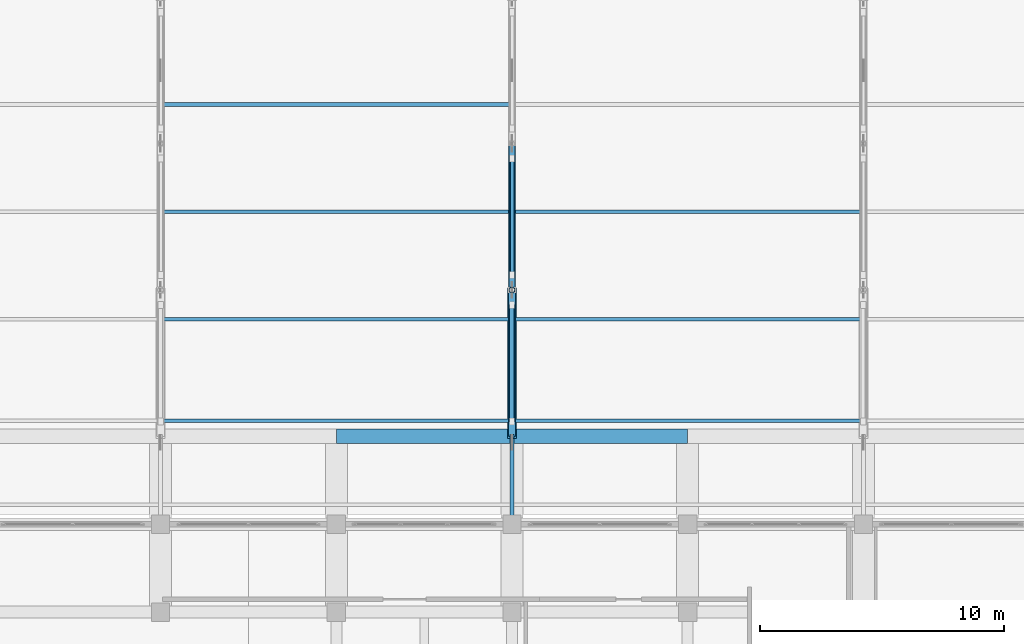
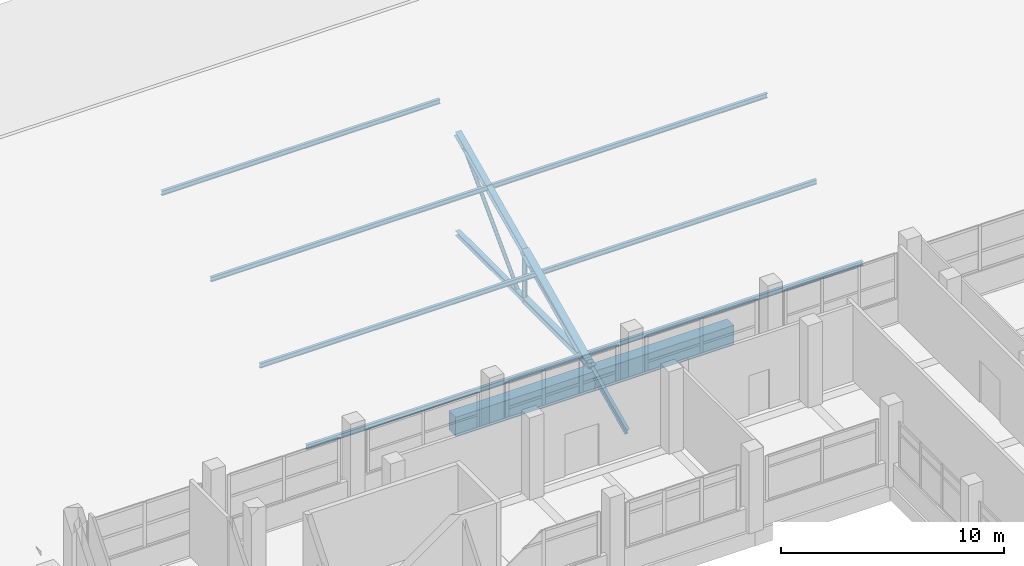
# One storey, part 95 of 141: 15 members, 2 beams, 1 element without a shape of its own.
"""IFC4 building model written with IfcOpenShell, lengths in metres."""

from ifc_helpers import new_model, si_unit, direction, frame, origin, origin_2d, place, context, subcontext, project, spatial, rectangle, hollow_circle, i_section, extrude, material, material_profile, profile_set, type_object, element, aggregate, save


model = new_model("IFC4")

# Units and contexts
model_context = context("Model", 3, precision=1e-05, world=origin(), true_north=direction((0.0, 1.0)))
body_context = subcontext(model_context, "Body", "Model", "MODEL_VIEW")
ifc_project = project(units=[si_unit("LENGTHUNIT", "METRE"), si_unit("AREAUNIT", "SQUARE_METRE"), si_unit("VOLUMEUNIT", "CUBIC_METRE"), si_unit("PLANEANGLEUNIT", "RADIAN"), si_unit("MASSUNIT", "GRAM", prefix="KILO")], contexts=[model_context])

# Site, building, storey
site_placement = place(None, origin())
site = spatial("IfcSite", under=ifc_project, at=site_placement, CompositionType="ELEMENT")
building_placement = place(site_placement, origin())
building = spatial("IfcBuilding", under=site, at=building_placement, Name="Seraya Terrace Polytechnic", CompositionType="ELEMENT")
storey_placement = place(building_placement, frame((0.0, 0.0, 14.39990234375)))
storey = spatial("IfcBuildingStorey", under=building, at=storey_placement, Name="L03", CompositionType="ELEMENT", Elevation=14.39990234375)

# Assembly, members
ifc_material_1 = material(Name="Steel S355J2", Category="steel")
element_assembly_type = type_object("IfcElementAssemblyType", Name="TR-A1", PredefinedType="TRUSS", material=ifc_material_1)
assembly_placement = place(storey_placement, origin())
assembly = element("IfcElementAssembly", 1, at=assembly_placement, inside=storey, type_object=element_assembly_type, Name="Pitched steel roof truss TR-05", AssemblyPlace="SITE", PredefinedType="TRUSS")
ifc_material_profile_1 = material_profile(ifc_material_1, i_section(OverallWidth=0.304931640625, OverallDepth=0.304931640625, WebThickness=0.014892578125, FlangeThickness=0.023681640625, at=origin_2d()), Name="UKC 305x305x14.9x23.8")
ifc_profile_set_1 = profile_set([ifc_material_profile_1], Name="Steel S355J2")
member_type_1 = type_object("IfcMemberType", Name="BC-01", PredefinedType="CHORD", material=ifc_profile_set_1)
member_1_placement = place(storey_placement, frame((72.0, 79.199951171875, 0.150146484375), z_axis=(0.0, 1.0, 0.0), x_axis=(-1.0, 0.0, 0.0)))
member_1 = element("IfcMember", 2, at=member_1_placement, type_object=member_type_1, Name="TR-05 bottom chord 1", PredefinedType="CHORD", context=body_context, shape_type="SweptSolid", body=[
    extrude(i_section(OverallWidth=0.304931640625, OverallDepth=0.304931640625, WebThickness=0.014892578125, FlangeThickness=0.023681640625, at=origin_2d()), origin(), (0.0, 0.0, 1.0), 6.0),
])
ifc_material_profile_2 = material_profile(ifc_material_1, i_section(OverallWidth=0.25390625, OverallDepth=0.25390625, WebThickness=0.0107421875, FlangeThickness=0.017333984375, at=origin_2d()), Name="UKC 254x254x10.7x17.3")
ifc_profile_set_2 = profile_set([ifc_material_profile_2], Name="Steel S355J2")
member_type_2 = type_object("IfcMemberType", Name="BC-02", PredefinedType="CHORD", material=ifc_profile_set_2)
member_2_placement = place(storey_placement, frame((72.0, 85.199951171875, 0.150146484375), z_axis=(0.0, 1.0, 0.0), x_axis=(-1.0, 0.0, 0.0)))
member_2 = element("IfcMember", 3, at=member_2_placement, type_object=member_type_2, Name="TR-05 bottom chord 2", PredefinedType="CHORD", context=body_context, shape_type="SweptSolid", body=[
    extrude(i_section(OverallWidth=0.25390625, OverallDepth=0.25390625, WebThickness=0.0107421875, FlangeThickness=0.017333984375, at=origin_2d()), origin(), (0.0, 0.0, 1.0), 6.0),
])

# Beams
ifc_material_2 = material(Name="Concrete C40/50", Category="concrete")
ifc_material_profile_3 = material_profile(ifc_material_2, rectangle(XDim=0.60009765625, YDim=1.050048828125, at=origin_2d()), Name="RC 600x1050")
ifc_profile_set_3 = profile_set([ifc_material_profile_3], Name="Concrete C40/50")
beam_type = type_object("IfcBeamType", Name="BM-01", PredefinedType="BEAM", material=ifc_profile_set_3)
for number, where, z_axis, x_axis, name in (
    (4, (64.800048828125, 79.199951171875, -0.52490234375), (1.0, 0.0, 0.0), (0.0, 1.0, 0.0), "Beam BM-01 L03 X (64.8..72.0, 79.2)"),
    (5, (72.0, 79.199951171875, -0.52490234375), (1.0, 0.0, 0.0), (0.0, 1.0, 0.0), "Beam BM-01 L03 X (72.0..79.2, 79.2)"),
):
    element("IfcBeam", number, at=place(storey_placement, frame(where, z_axis=z_axis, x_axis=x_axis)), inside=storey, type_object=beam_type, Name=name, PredefinedType="BEAM", context=body_context, shape_type="SweptSolid", body=[
        extrude(rectangle(XDim=0.60009765625, YDim=1.050048828125, at=origin_2d()), origin(), (0.0, 0.0, 1.0), 7.199951171875),
    ])

# Member
ifc_material_profile_4 = material_profile(ifc_material_1, hollow_circle(Radius=0.109619140625, WallThickness=0.010009765625, at=origin_2d()), Name="CHS 219.1x10.0")
ifc_profile_set_4 = profile_set([ifc_material_profile_4], Name="Steel S355J2")
member_type_3 = type_object("IfcMemberType", Name="BR-01", PredefinedType="BRACE", material=ifc_profile_set_4)
member_3_placement = place(storey_placement, frame((72.0, 79.820068359375, 0.316650390625), z_axis=(0.0, 0.921775035169, 0.387725140453), x_axis=(-1.0, 0.0, 0.0)))
member_3 = element("IfcMember", 6, at=member_3_placement, type_object=member_type_3, Name="TR-05 web diagonal 1", PredefinedType="BRACE", context=body_context, shape_type="SweptSolid", body=[
    extrude(hollow_circle(Radius=0.109619140625, WallThickness=0.010009765625, at=origin_2d()), origin(), (0.0, 0.0, 1.0), 5.1640625),
])

ifc_material_profile_5 = material_profile(ifc_material_1, hollow_circle(Radius=0.096923828125, WallThickness=0.010009765625, at=origin_2d()), Name="CHS 193.7x10.0")
ifc_profile_set_5 = profile_set([ifc_material_profile_5], Name="Steel S355J2")
member_type_4 = type_object("IfcMemberType", Name="BR-02", PredefinedType="BRACE", material=ifc_profile_set_5)
member_4_placement = place(storey_placement, frame((72.0, 85.820068359375, 0.291015625), z_axis=(0.0, 0.700213947338, 0.713933069659), x_axis=(-1.0, 0.0, 0.0)))
member_4 = element("IfcMember", 7, at=member_4_placement, type_object=member_type_4, Name="TR-05 web diagonal 2", PredefinedType="BRACE", context=body_context, shape_type="SweptSolid", body=[
    extrude(hollow_circle(Radius=0.096923828125, WallThickness=0.010009765625, at=origin_2d()), origin(), (0.0, 0.0, 1.0), 6.7978515625),
])

# Members
ifc_material_profile_6 = material_profile(ifc_material_1, i_section(OverallWidth=0.14599609375, OverallDepth=0.25390625, WebThickness=0.007080078125, FlangeThickness=0.01416015625, at=origin_2d()), Name="UKB 254x146x7.2x14.2")
ifc_profile_set_6 = profile_set([ifc_material_profile_6], Name="Steel S355J2")
member_type_5 = type_object("IfcMemberType", Name="PR-01", PredefinedType="PURLIN", material=ifc_profile_set_6)
for number, where, z_axis, x_axis, name in (
    (8, (57.60009765625, 79.85009765625, 0.33349609375), (1.0, 0.0, 0.0), (0.0, 1.0, 0.0), "Workshop roof purlin PR-01 bay 4.2"),
    (9, (57.60009765625, 84.0, 2.270263671875), (1.0, 0.0, 0.0), (0.0, 1.0, 0.0), "Workshop roof purlin PR-01 bay 4.3"),
    (10, (57.60009765625, 88.39990234375, 4.323486328125), (1.0, 0.0, 0.0), (0.0, 1.0, 0.0), "Workshop roof purlin PR-01 bay 4.4"),
    (11, (57.60009765625, 92.800048828125, 6.376953125), (1.0, 0.0, 0.0), (0.0, 1.0, 0.0), "Workshop roof purlin PR-01 bay 4.5"),
    (12, (72.0, 79.85009765625, 0.33349609375), (1.0, 0.0, 0.0), (0.0, 1.0, 0.0), "Workshop roof purlin PR-01 bay 5.2"),
    (13, (72.0, 84.0, 2.270263671875), (1.0, 0.0, 0.0), (0.0, 1.0, 0.0), "Workshop roof purlin PR-01 bay 5.3"),
    (14, (72.0, 88.39990234375, 4.323486328125), (1.0, 0.0, 0.0), (0.0, 1.0, 0.0), "Workshop roof purlin PR-01 bay 5.4"),
):
    element("IfcMember", number, at=place(storey_placement, frame(where, z_axis=z_axis, x_axis=x_axis)), inside=storey, type_object=member_type_5, Name=name, PredefinedType="PURLIN", context=body_context, shape_type="SweptSolid", body=[
        extrude(i_section(OverallWidth=0.14599609375, OverallDepth=0.25390625, WebThickness=0.007080078125, FlangeThickness=0.01416015625, at=origin_2d()), origin(), (0.0, 0.0, 1.0), 14.39990234375),
    ])

# Member
ifc_material_profile_7 = material_profile(ifc_material_1, i_section(OverallWidth=0.1708984375, OverallDepth=0.35595703125, WebThickness=0.009033203125, FlangeThickness=0.015625, at=origin_2d()), Name="UKB 356x171x9.1x15.7")
ifc_profile_set_7 = profile_set([ifc_material_profile_7], Name="Steel S355J2")
member_type_6 = type_object("IfcMemberType", Name="RF-01", PredefinedType="RAFTER", material=ifc_profile_set_7)
member_5_placement = place(storey_placement, frame((72.0, 79.199951171875, -0.052001953125), z_axis=(0.0, -0.906199036176, -0.422851400416), x_axis=(1.0, 0.0, 0.0)))
member_5 = element("IfcMember", 15, at=member_5_placement, type_object=member_type_6, Name="TR-05 South monsoon eave rafter", PredefinedType="RAFTER", context=body_context, shape_type="SweptSolid", body=[
    extrude(i_section(OverallWidth=0.1708984375, OverallDepth=0.35595703125, WebThickness=0.009033203125, FlangeThickness=0.015625, at=origin_2d()), origin(), (0.0, 0.0, 1.0), 3.53125),
])

ifc_material_profile_8 = material_profile(ifc_material_1, hollow_circle(Radius=0.122314453125, WallThickness=0.012451171875, at=origin_2d()), Name="CHS 244.5x12.5")
ifc_profile_set_8 = profile_set([ifc_material_profile_8], Name="Steel S355J2")
member_type_7 = type_object("IfcMemberType", Name="ST-M2", PredefinedType="STRUT", material=ifc_profile_set_8)
member_6_placement = place(storey_placement, frame((72.0, 85.199951171875, 0.306640625), z_axis=(0.0, 0.0, 1.0), x_axis=(1.0, 0.0, 0.0)))
member_6 = element("IfcMember", 16, at=member_6_placement, type_object=member_type_7, Name="TR-05 vertical strut 2", PredefinedType="STRUT", context=body_context, shape_type="SweptSolid", body=[
    extrude(hollow_circle(Radius=0.122314453125, WallThickness=0.012451171875, at=origin_2d()), origin(), (0.0, 0.0, 1.0), 2.3115234375),
])

ifc_material_profile_9 = material_profile(ifc_material_1, i_section(OverallWidth=0.367919921875, OverallDepth=0.35595703125, WebThickness=0.014892578125, FlangeThickness=0.0244140625, at=origin_2d()), Name="UKC 356x368x15.0x24.4")
ifc_profile_set_9 = profile_set([ifc_material_profile_9], Name="Steel S355J2")
member_type_8 = type_object("IfcMemberType", Name="TC-01", PredefinedType="CHORD", material=ifc_profile_set_9)
member_7_placement = place(storey_placement, frame((72.0, 79.199951171875, 0.0), z_axis=(0.0, 0.906180313975, 0.422891521036), x_axis=(-1.0, 0.0, 0.0)))
member_7 = element("IfcMember", 17, at=member_7_placement, type_object=member_type_8, Name="TR-05 top chord 1", PredefinedType="CHORD", context=body_context, shape_type="SweptSolid", body=[
    extrude(i_section(OverallWidth=0.367919921875, OverallDepth=0.35595703125, WebThickness=0.014892578125, FlangeThickness=0.0244140625, at=origin_2d()), origin(), (0.0, 0.0, 1.0), 6.62109375),
])

ifc_material_profile_10 = material_profile(ifc_material_1, i_section(OverallWidth=0.304931640625, OverallDepth=0.304931640625, WebThickness=0.011962890625, FlangeThickness=0.019775390625, at=origin_2d()), Name="UKC 305x305x12.0x19.7")
ifc_profile_set_10 = profile_set([ifc_material_profile_10], Name="Steel S355J2")
member_type_9 = type_object("IfcMemberType", Name="TC-02", PredefinedType="CHORD", material=ifc_profile_set_10)
member_8_placement = place(storey_placement, frame((72.0, 85.199951171875, 2.800048828125), z_axis=(0.0, 0.906180313975, 0.422891521036), x_axis=(-1.0, 0.0, 0.0)))
member_8 = element("IfcMember", 18, at=member_8_placement, type_object=member_type_9, Name="TR-05 top chord 2", PredefinedType="CHORD", context=body_context, shape_type="SweptSolid", body=[
    extrude(i_section(OverallWidth=0.304931640625, OverallDepth=0.304931640625, WebThickness=0.011962890625, FlangeThickness=0.019775390625, at=origin_2d()), origin(), (0.0, 0.0, 1.0), 6.62109375),
])

aggregate(assembly, [member_1, member_7, member_2, member_8, member_6, member_3, member_4, member_5])

save(model, "model.ifc")
